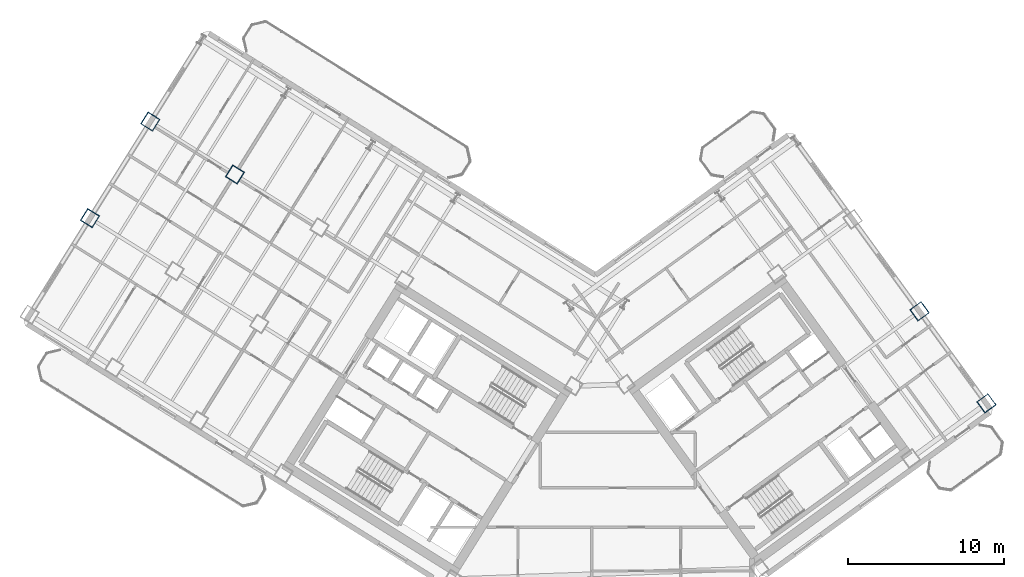
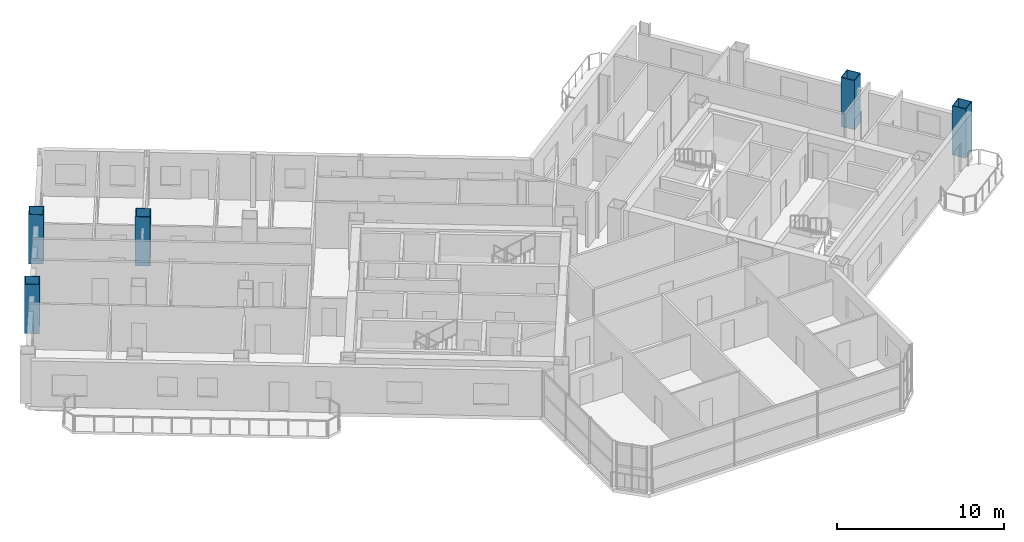
# One storey, part 2 of 20: 5 columns.
"""IFC4 building model written with IfcOpenShell, lengths in metres."""

from ifc_helpers import new_model, si_unit, direction, frame, origin, origin_2d, place, context, subcontext, project, spatial, hollow_rectangle, extrude, source, transform, mapped, material, material_profile, profile_set, type_object, element, save


model = new_model("IFC4")

# Units and contexts
model_context = context("Model", 3, precision=1e-05, world=origin(), true_north=direction((0.0, 1.0)))
body_context = subcontext(model_context, "Body", "Model", "MODEL_VIEW")
ifc_project = project(units=[si_unit("LENGTHUNIT", "METRE"), si_unit("AREAUNIT", "SQUARE_METRE"), si_unit("VOLUMEUNIT", "CUBIC_METRE"), si_unit("PLANEANGLEUNIT", "RADIAN"), si_unit("MASSUNIT", "GRAM", prefix="KILO")], contexts=[model_context])

# Site, building, storey
site_placement = place(None, origin())
site = spatial("IfcSite", under=ifc_project, at=site_placement, CompositionType="ELEMENT")
building_placement = place(site_placement, origin())
building = spatial("IfcBuilding", under=site, at=building_placement, Name="Tlacorven Tower", CompositionType="ELEMENT")
storey_placement = place(building_placement, frame((0.0, 0.0, 116.10009765625)))
storey = spatial("IfcBuildingStorey", under=building, at=storey_placement, Name="L29", CompositionType="ELEMENT", Elevation=116.10009765625)

# Columns
ifc_material = material(Name="Steel S460M", Category="steel")
ifc_material_profile = material_profile(ifc_material, hollow_rectangle(XDim=0.89990234375, YDim=0.89990234375, WallThickness=0.035888671875, at=origin_2d()), Name="BOX 900X900X36")
ifc_profile_set = profile_set([ifc_material_profile], Name="Steel S460M")
column_type = type_object("IfcColumnType", Name="COL-TWR-S2", PredefinedType="COLUMN", material=ifc_profile_set)
shared_shape = source(origin(), body_context, "Body", "SweptSolid", [
    extrude(hollow_rectangle(XDim=0.89990234375, YDim=0.89990234375, WallThickness=0.035888671875, at=origin_2d()), origin(), (0.0, 0.0, 1.0), 3.599853515625),
])
for number, where, z_axis, x_axis, name in (
    (1, (19.072998046875, 38.034423828125, 0.0), (0.0, 0.0, 1.0), (-0.848048096156, 0.529919264233, 0.0), "L29 column COL-L29-W5-2"),
    (2, (13.6455078125, 41.42578125, 0.0), (0.0, 0.0, 1.0), (-0.848048096156, 0.529919264233, 0.0), "L29 column COL-L29-W6-2"),
    (3, (9.777099609375, 35.235107421875, 0.0), (0.0, 0.0, 1.0), (-0.848048096156, 0.529919264233, 0.0), "L29 column COL-L29-W6-3"),
    (4, (67.267822265625, 23.353515625, 0.0), (0.0, 0.0, 1.0), (0.809016994375, 0.587785252292, 0.0), "L29 column COL-L29-E4-1"),
    (5, (62.976806640625, 29.25927734375, 0.0), (0.0, 0.0, 1.0), (0.809016994375, 0.587785252292, 0.0), "L29 column COL-L29-E4-2"),
):
    element("IfcColumn", number, at=place(storey_placement, frame(where, z_axis=z_axis, x_axis=x_axis)), inside=storey, type_object=column_type, Name=name, PredefinedType="COLUMN", context=body_context, shape_type="MappedRepresentation", body=[
        mapped(shared_shape, transform((0.0, 0.0, 0.0), scale=1.0)),
    ])

save(model, "model.ifc")
